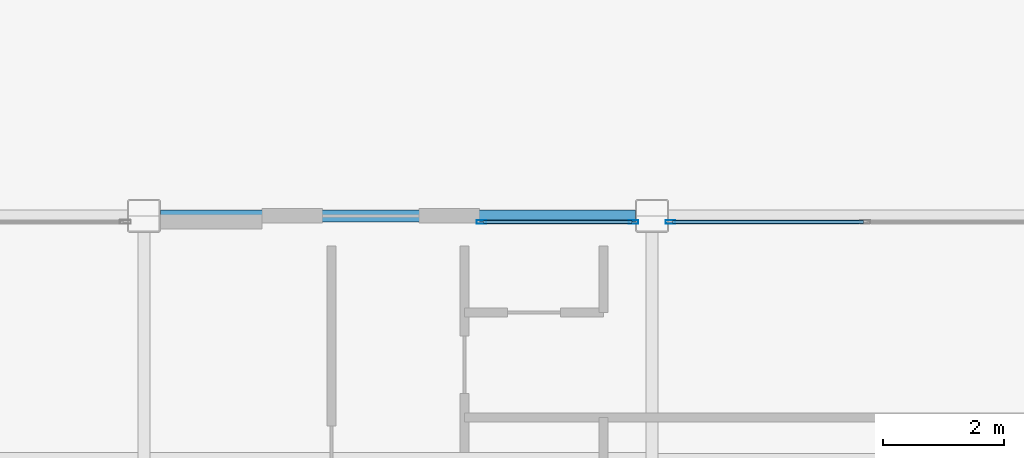
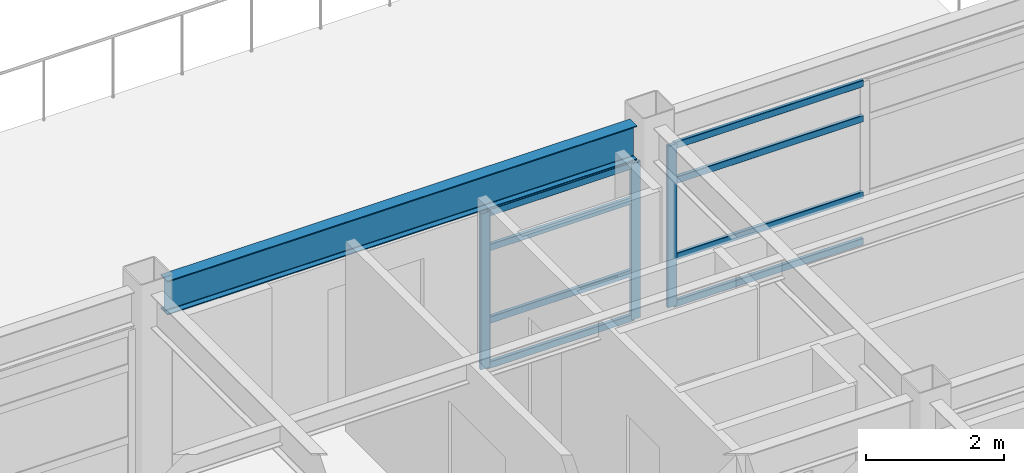
# One storey, part 21 of 36: 11 members, 1 beam, 2 elements without a shape of their own.
"""IFC4 building model written with IfcOpenShell, lengths in metres."""

from ifc_helpers import new_model, si_unit, direction, frame, origin, origin_2d, place, context, subcontext, project, spatial, hollow_rectangle, i_section, extrude, material, layer, layer_set, material_profile, profile_set, type_object, element, aggregate, save


model = new_model("IFC4")

# Units and contexts
model_context = context("Model", 3, precision=1e-05, world=origin(), true_north=direction((0.0, 1.0)))
body_context = subcontext(model_context, "Body", "Model", "MODEL_VIEW")
ifc_project = project(units=[si_unit("LENGTHUNIT", "METRE"), si_unit("AREAUNIT", "SQUARE_METRE"), si_unit("VOLUMEUNIT", "CUBIC_METRE"), si_unit("PLANEANGLEUNIT", "RADIAN"), si_unit("MASSUNIT", "GRAM", prefix="KILO")], contexts=[model_context])

# Site, building, storey
site_placement = place(None, origin())
site = spatial("IfcSite", under=ifc_project, at=site_placement, CompositionType="ELEMENT")
building_placement = place(site_placement, origin())
building = spatial("IfcBuilding", under=site, at=building_placement, Name="Kazehara Bluff Congress Hotel", CompositionType="ELEMENT")
storey_placement = place(building_placement, frame((0.0, 0.0, 31.800048828125)))
storey = spatial("IfcBuildingStorey", under=building, at=storey_placement, Name="L07", CompositionType="ELEMENT", Elevation=31.800048828125)

# Curtain wall, members
ifc_material_1 = material(Name="Anodised aluminium", Category="aluminium")
ifc_layer_1 = layer(ifc_material_1, 0.159912109375)
ifc_layer_set_1 = layer_set([ifc_layer_1], Name="Anodised aluminium")
curtain_wall_type_1 = type_object("IfcCurtainWallType", Name="TP-CW-183", PredefinedType="NOTDEFINED", material=ifc_layer_set_1)
curtain_wall_1_placement = place(storey_placement, origin())
curtain_wall_1 = element("IfcCurtainWall", 1, at=curtain_wall_1_placement, inside=storey, type_object=curtain_wall_type_1, Name="L07 curtain wall CW-183 CW-ENC-V5-L07-15894-9680", PredefinedType="NOTDEFINED")
ifc_material_2 = material(Name="Anodised aluminium", Category="aluminium")
ifc_material_profile_1 = material_profile(ifc_material_2, hollow_rectangle(XDim=0.06005859375, YDim=0.159912109375, WallThickness=0.00390625, InnerFilletRadius=0.00390625, OuterFilletRadius=0.008056640625, at=origin_2d()))
ifc_profile_set_1 = profile_set([ifc_material_profile_1], Name="Anodised aluminium")
member_type_1 = type_object("IfcMemberType", Name="TP-CWM-01", PredefinedType="MULLION", material=ifc_profile_set_1)
member_1_placement = place(storey_placement, frame((157.679931640625, 96.800048828125, 0.0), z_axis=(0.0, 0.0, 1.0), x_axis=(0.0, 1.0, 0.0)))
member_1 = element("IfcMember", 2, at=member_1_placement, type_object=member_type_1, Name="CW-183 mullion 1", PredefinedType="MULLION", context=body_context, shape_type="SweptSolid", body=[
    extrude(hollow_rectangle(XDim=0.06005859375, YDim=0.159912109375, WallThickness=0.00390625, InnerFilletRadius=0.00390625, OuterFilletRadius=0.008056640625, at=origin_2d()), origin(), (0.0, 0.0, 1.0), 2.7548828125),
])
member_2_placement = place(storey_placement, frame((160.195068359375, 96.800048828125, 0.0), z_axis=(0.0, 0.0, 1.0), x_axis=(0.0, 1.0, 0.0)))
member_2 = element("IfcMember", 3, at=member_2_placement, type_object=member_type_1, Name="CW-183 mullion 2", PredefinedType="MULLION", context=body_context, shape_type="SweptSolid", body=[
    extrude(hollow_rectangle(XDim=0.06005859375, YDim=0.159912109375, WallThickness=0.00390625, InnerFilletRadius=0.00390625, OuterFilletRadius=0.008056640625, at=origin_2d()), origin(), (0.0, 0.0, 1.0), 2.7548828125),
])

# Curtain wall, member
ifc_material_3 = material(Name="Anodised aluminium", Category="aluminium")
ifc_layer_2 = layer(ifc_material_3, 0.159912109375)
ifc_layer_set_2 = layer_set([ifc_layer_2], Name="Anodised aluminium")
curtain_wall_type_2 = type_object("IfcCurtainWallType", Name="TP-CW-173", PredefinedType="NOTDEFINED", material=ifc_layer_set_2)
curtain_wall_2_placement = place(storey_placement, origin())
curtain_wall_2 = element("IfcCurtainWall", 4, at=curtain_wall_2_placement, inside=storey, type_object=curtain_wall_type_2, Name="L07 curtain wall CW-173 CW-ENC-V5-L07-16402-9680", PredefinedType="NOTDEFINED")
member_3_placement = place(storey_placement, frame((160.804931640625, 96.800048828125, 0.0), z_axis=(0.0, 0.0, 1.0), x_axis=(0.0, 1.0, 0.0)))
member_3 = element("IfcMember", 5, at=member_3_placement, type_object=member_type_1, Name="CW-173 mullion 1", PredefinedType="MULLION", context=body_context, shape_type="SweptSolid", body=[
    extrude(hollow_rectangle(XDim=0.06005859375, YDim=0.159912109375, WallThickness=0.00390625, InnerFilletRadius=0.00390625, OuterFilletRadius=0.008056640625, at=origin_2d()), origin(), (0.0, 0.0, 1.0), 2.85498046875),
])

# Member
ifc_material_4 = material(Name="Anodised aluminium", Category="aluminium")
ifc_material_profile_2 = material_profile(ifc_material_4, hollow_rectangle(XDim=0.06005859375, YDim=0.1201171875, WallThickness=0.00390625, InnerFilletRadius=0.00390625, OuterFilletRadius=0.008056640625, at=origin_2d()))
ifc_profile_set_2 = profile_set([ifc_material_profile_2], Name="Anodised aluminium")
member_type_2 = type_object("IfcMemberType", Name="TP-CWT-01", PredefinedType="USERDEFINED", material=ifc_profile_set_2)
member_4_placement = place(storey_placement, frame((157.7099609375, 96.800048828125, 0.030029296875), z_axis=(1.0, 0.0, 0.0), x_axis=(0.0, 1.0, 0.0)))
member_4 = element("IfcMember", 6, at=member_4_placement, type_object=member_type_2, Name="CW-183 transom 1.1", ObjectType="TRANSOM", PredefinedType="USERDEFINED", context=body_context, shape_type="SweptSolid", body=[
    extrude(hollow_rectangle(XDim=0.06005859375, YDim=0.1201171875, WallThickness=0.00390625, InnerFilletRadius=0.00390625, OuterFilletRadius=0.008056640625, at=origin_2d()), origin(), (0.0, 0.0, 1.0), 2.455078125),
])

member_5_placement = place(storey_placement, frame((157.7099609375, 96.800048828125, 0.824951171875), z_axis=(1.0, 0.0, 0.0), x_axis=(0.0, 1.0, 0.0)))
member_5 = element("IfcMember", 7, at=member_5_placement, type_object=member_type_2, Name="CW-183 transom 1.2", ObjectType="TRANSOM", PredefinedType="USERDEFINED", context=body_context, shape_type="SweptSolid", body=[
    extrude(hollow_rectangle(XDim=0.06005859375, YDim=0.1201171875, WallThickness=0.00390625, InnerFilletRadius=0.00390625, OuterFilletRadius=0.008056640625, at=origin_2d()), origin(), (0.0, 0.0, 1.0), 2.455078125),
])

member_6_placement = place(storey_placement, frame((157.7099609375, 96.800048828125, 2.10498046875), z_axis=(1.0, 0.0, 0.0), x_axis=(0.0, 1.0, 0.0)))
member_6 = element("IfcMember", 8, at=member_6_placement, type_object=member_type_2, Name="CW-183 transom 1.3", ObjectType="TRANSOM", PredefinedType="USERDEFINED", context=body_context, shape_type="SweptSolid", body=[
    extrude(hollow_rectangle(XDim=0.06005859375, YDim=0.1201171875, WallThickness=0.00390625, InnerFilletRadius=0.00390625, OuterFilletRadius=0.008056640625, at=origin_2d()), origin(), (0.0, 0.0, 1.0), 2.455078125),
])

member_7_placement = place(storey_placement, frame((157.7099609375, 96.800048828125, 2.724853515625), z_axis=(1.0, 0.0, 0.0), x_axis=(0.0, 1.0, 0.0)))
member_7 = element("IfcMember", 9, at=member_7_placement, type_object=member_type_2, Name="CW-183 transom 1.4", ObjectType="TRANSOM", PredefinedType="USERDEFINED", context=body_context, shape_type="SweptSolid", body=[
    extrude(hollow_rectangle(XDim=0.06005859375, YDim=0.1201171875, WallThickness=0.00390625, InnerFilletRadius=0.00390625, OuterFilletRadius=0.008056640625, at=origin_2d()), origin(), (0.0, 0.0, 1.0), 2.455078125),
])

aggregate(curtain_wall_1, [member_1, member_2, member_4, member_5, member_6, member_7])

member_8_placement = place(storey_placement, frame((160.8349609375, 96.800048828125, 0.030029296875), z_axis=(1.0, 0.0, 0.0), x_axis=(0.0, 1.0, 0.0)))
member_8 = element("IfcMember", 10, at=member_8_placement, type_object=member_type_2, Name="CW-173 transom 1.1", ObjectType="TRANSOM", PredefinedType="USERDEFINED", context=body_context, shape_type="SweptSolid", body=[
    extrude(hollow_rectangle(XDim=0.06005859375, YDim=0.1201171875, WallThickness=0.00390625, InnerFilletRadius=0.00390625, OuterFilletRadius=0.008056640625, at=origin_2d()), origin(), (0.0, 0.0, 1.0), 3.16015625),
])

member_9_placement = place(storey_placement, frame((160.8349609375, 96.800048828125, 0.85498046875), z_axis=(1.0, 0.0, 0.0), x_axis=(0.0, 1.0, 0.0)))
member_9 = element("IfcMember", 11, at=member_9_placement, type_object=member_type_2, Name="CW-173 transom 1.2", ObjectType="TRANSOM", PredefinedType="USERDEFINED", context=body_context, shape_type="SweptSolid", body=[
    extrude(hollow_rectangle(XDim=0.06005859375, YDim=0.1201171875, WallThickness=0.00390625, InnerFilletRadius=0.00390625, OuterFilletRadius=0.008056640625, at=origin_2d()), origin(), (0.0, 0.0, 1.0), 3.16015625),
])

member_10_placement = place(storey_placement, frame((160.8349609375, 96.800048828125, 2.204833984375), z_axis=(1.0, 0.0, 0.0), x_axis=(0.0, 1.0, 0.0)))
member_10 = element("IfcMember", 12, at=member_10_placement, type_object=member_type_2, Name="CW-173 transom 1.3", ObjectType="TRANSOM", PredefinedType="USERDEFINED", context=body_context, shape_type="SweptSolid", body=[
    extrude(hollow_rectangle(XDim=0.06005859375, YDim=0.1201171875, WallThickness=0.00390625, InnerFilletRadius=0.00390625, OuterFilletRadius=0.008056640625, at=origin_2d()), origin(), (0.0, 0.0, 1.0), 3.16015625),
])

member_11_placement = place(storey_placement, frame((160.8349609375, 96.800048828125, 2.824951171875), z_axis=(1.0, 0.0, 0.0), x_axis=(0.0, 1.0, 0.0)))
member_11 = element("IfcMember", 13, at=member_11_placement, type_object=member_type_2, Name="CW-173 transom 1.4", ObjectType="TRANSOM", PredefinedType="USERDEFINED", context=body_context, shape_type="SweptSolid", body=[
    extrude(hollow_rectangle(XDim=0.06005859375, YDim=0.1201171875, WallThickness=0.00390625, InnerFilletRadius=0.00390625, OuterFilletRadius=0.008056640625, at=origin_2d()), origin(), (0.0, 0.0, 1.0), 3.16015625),
])

aggregate(curtain_wall_2, [member_3, member_8, member_9, member_10, member_11])

# Beam
ifc_material_5 = material(Name="Steel SN490B", Category="steel")
ifc_material_profile_3 = material_profile(ifc_material_5, i_section(OverallWidth=0.199951171875, OverallDepth=0.60009765625, WebThickness=0.010986328125, FlangeThickness=0.01708984375, FilletRadius=0.012939453125, at=origin_2d()))
ifc_profile_set_3 = profile_set([ifc_material_profile_3], Name="Steel SN490B")
beam_type = type_object("IfcBeamType", Name="TP-G-02", PredefinedType="BEAM", material=ifc_profile_set_3)
beam_placement = place(storey_placement, frame((152.375, 96.89990234375, 3.079833984375), z_axis=(1.0, 0.0, 0.0), x_axis=(0.0, 1.0, 0.0)))
element("IfcBeam", 14, at=beam_placement, inside=storey, type_object=beam_type, Name="L07 girder G-02 66", PredefinedType="BEAM", context=body_context, shape_type="SweptSolid", body=[
    extrude(i_section(OverallWidth=0.199951171875, OverallDepth=0.60009765625, WebThickness=0.010986328125, FlangeThickness=0.01708984375, FilletRadius=0.012939453125, at=origin_2d()), origin(), (0.0, 0.0, 1.0), 7.85009765625),
])

save(model, "model.ifc")
